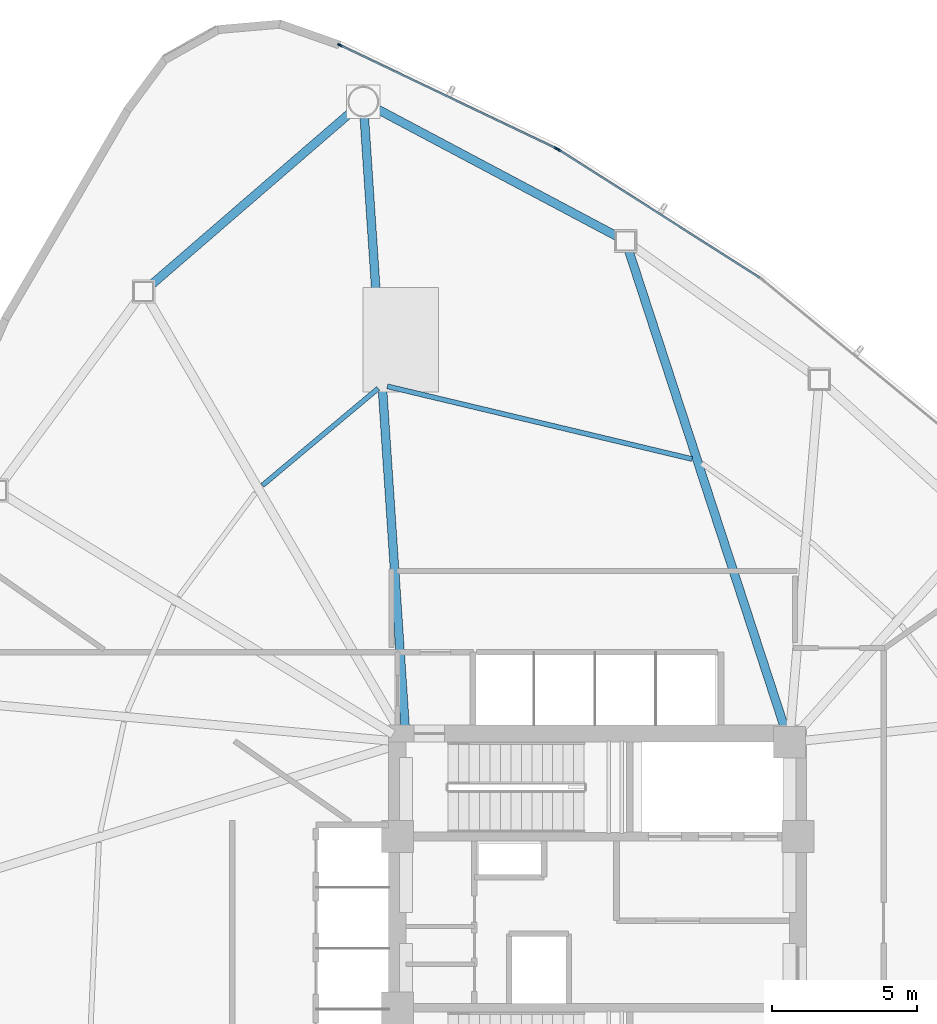
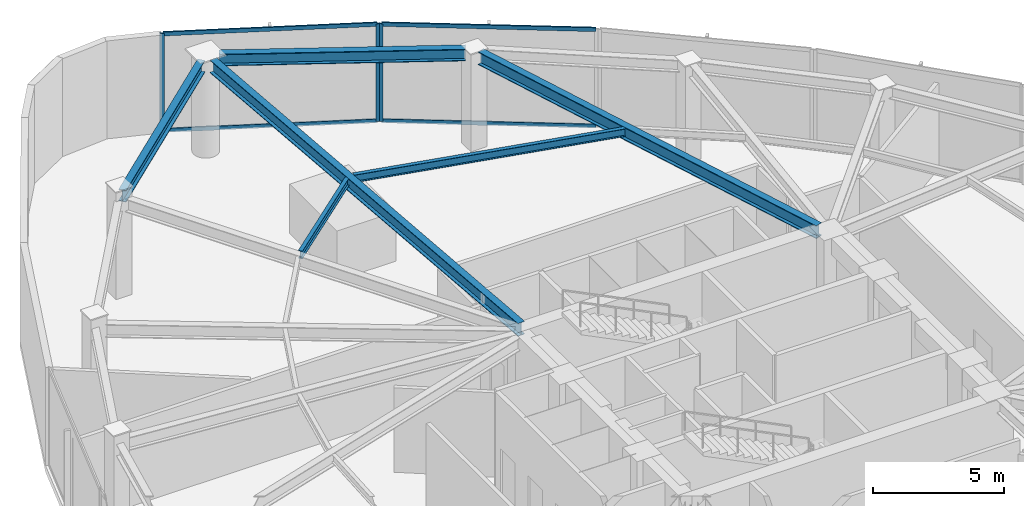
# One storey, part 8 of 16: 7 members, 6 beams, 2 elements without a shape of their own.
"""IFC4 building model written with IfcOpenShell, lengths in metres."""

from ifc_helpers import new_model, si_unit, direction, frame, origin, origin_2d, place, context, subcontext, project, spatial, hollow_rectangle, i_section, extrude, source, transform, mapped, material, layer, layer_set, material_profile, profile_set, type_object, type_shapes, element, aggregate, save


model = new_model("IFC4")

# Units and contexts
model_context = context("Model", 3, precision=1e-05, world=origin(), true_north=direction((0.0, 1.0)))
body_context = subcontext(model_context, "Body", "Model", "MODEL_VIEW")
ifc_project = project(units=[si_unit("LENGTHUNIT", "METRE"), si_unit("AREAUNIT", "SQUARE_METRE"), si_unit("VOLUMEUNIT", "CUBIC_METRE"), si_unit("PLANEANGLEUNIT", "RADIAN"), si_unit("MASSUNIT", "GRAM", prefix="KILO")], contexts=[model_context])

# Site, building, storey
site_placement = place(None, origin())
site = spatial("IfcSite", under=ifc_project, at=site_placement, CompositionType="ELEMENT")
building_placement = place(site_placement, origin())
building = spatial("IfcBuilding", under=site, at=building_placement, Name="Tavelor Broadcast Tower", CompositionType="ELEMENT")
storey_placement = place(building_placement, frame((0.0, 0.0, 97.800048828125)))
storey = spatial("IfcBuildingStorey", under=building, at=storey_placement, Name="L23", CompositionType="ELEMENT", Elevation=97.800048828125)

# Beams
ifc_material_1 = material(Name="Steel S355", Category="steel")
ifc_material_profile_1 = material_profile(ifc_material_1, i_section(OverallWidth=0.169921875, OverallDepth=0.360107421875, WebThickness=0.008056640625, FlangeThickness=0.0126953125, at=origin_2d()), Name="IPE 360")
ifc_profile_set_1 = profile_set([ifc_material_profile_1], Name="Steel S355")
beam_type_1 = type_object("IfcBeamType", Name="Composite Floor Joist T2 IPE 360", PredefinedType="JOIST", material=ifc_profile_set_1)
beam_1_placement = place(storey_placement, frame((42.437744140625, 63.38671875, 4.369873046875), z_axis=(-0.766764124222, -0.641928950746, 0.0), x_axis=(0.641928950746, -0.766764124222, 0.0)))
element("IfcBeam", 1, at=beam_1_placement, inside=storey, type_object=beam_type_1, Name="L23 Secondary Composite Floor Joist 01", PredefinedType="JOIST", context=body_context, shape_type="SweptSolid", body=[
    extrude(i_section(OverallWidth=0.169921875, OverallDepth=0.360107421875, WebThickness=0.008056640625, FlangeThickness=0.0126953125, at=origin_2d()), origin(), (0.0, 0.0, 1.0), 5.1982421875),
])
beam_2_placement = place(storey_placement, frame((53.252685546875, 60.954345703125, 4.369873046875), z_axis=(-0.97267356202, 0.232176962139, 0.0), x_axis=(-0.232176962139, -0.97267356202, 0.0)))
element("IfcBeam", 2, at=beam_2_placement, inside=storey, type_object=beam_type_1, Name="L23 Secondary Composite Floor Joist 18", PredefinedType="JOIST", context=body_context, shape_type="SweptSolid", body=[
    extrude(i_section(OverallWidth=0.169921875, OverallDepth=0.360107421875, WebThickness=0.008056640625, FlangeThickness=0.0126953125, at=origin_2d()), origin(), (0.0, 0.0, 1.0), 10.794921875),
])
ifc_material_profile_2 = material_profile(ifc_material_1, i_section(OverallWidth=0.300048828125, OverallDepth=0.550048828125, WebThickness=0.014892578125, FlangeThickness=0.029052734375, at=origin_2d()), Name="HEB 550")
ifc_profile_set_2 = profile_set([ifc_material_profile_2], Name="Steel S355")
beam_type_2 = type_object("IfcBeamType", Name="Perimeter Spandrel Beam T2 HEB 550", PredefinedType="SPANDREL", material=ifc_profile_set_2)
beam_3_placement = place(storey_placement, frame((41.535400390625, 72.931396484375, 4.27490234375), z_axis=(-0.756652037371, -0.653817783746, 0.0), x_axis=(0.653817783746, -0.756652037371, 0.0)))
element("IfcBeam", 3, at=beam_3_placement, inside=storey, type_object=beam_type_2, Name="L23 Framed-Tube Ring Spandrel 01", PredefinedType="SPANDREL", context=body_context, shape_type="SweptSolid", body=[
    extrude(i_section(OverallWidth=0.300048828125, OverallDepth=0.550048828125, WebThickness=0.014892578125, FlangeThickness=0.029052734375, at=origin_2d()), origin(), (0.0, 0.0, 1.0), 9.15234375),
])
beam_4_placement = place(storey_placement, frame((50.6650390625, 68.626220703125, 4.27490234375), z_axis=(-0.883288784051, 0.468829312192, 0.0), x_axis=(-0.468829312192, -0.883288784051, 0.0)))
element("IfcBeam", 4, at=beam_4_placement, inside=storey, type_object=beam_type_2, Name="L23 Framed-Tube Ring Spandrel 18", PredefinedType="SPANDREL", context=body_context, shape_type="SweptSolid", body=[
    extrude(i_section(OverallWidth=0.300048828125, OverallDepth=0.550048828125, WebThickness=0.014892578125, FlangeThickness=0.029052734375, at=origin_2d()), origin(), (0.0, 0.0, 1.0), 9.384765625),
])
ifc_material_profile_3 = material_profile(ifc_material_1, i_section(OverallWidth=0.300048828125, OverallDepth=0.60009765625, WebThickness=0.015380859375, FlangeThickness=0.030029296875, at=origin_2d()), Name="HEB 600")
ifc_profile_set_3 = profile_set([ifc_material_profile_3], Name="Steel S355")
beam_type_3 = type_object("IfcBeamType", Name="Radial Floor Girder T2 HEB 600", PredefinedType="BEAM", material=ifc_profile_set_3)
beam_5_placement = place(storey_placement, frame((43.36474609375, 51.726806640625, 4.25), z_axis=(-0.066782727419, 0.997767541724, 0.0), x_axis=(-0.997767541724, -0.066782727419, 0.0)))
element("IfcBeam", 5, at=beam_5_placement, inside=storey, type_object=beam_type_3, Name="L23 Radial Primary Floor Girder 01", PredefinedType="BEAM", context=body_context, shape_type="SweptSolid", body=[
    extrude(i_section(OverallWidth=0.300048828125, OverallDepth=0.60009765625, WebThickness=0.015380859375, FlangeThickness=0.030029296875, at=origin_2d()), origin(), (0.0, 0.0, 1.0), 21.075439453125),
])
beam_6_placement = place(storey_placement, frame((56.43603515625, 51.701904296875, 4.25), z_axis=(-0.310367170997, 0.950616757251, 0.0), x_axis=(-0.950616757251, -0.310367170997, 0.0)))
element("IfcBeam", 6, at=beam_6_placement, inside=storey, type_object=beam_type_3, Name="L23 Radial Primary Floor Girder 18", PredefinedType="BEAM", context=body_context, shape_type="SweptSolid", body=[
    extrude(i_section(OverallWidth=0.300048828125, OverallDepth=0.60009765625, WebThickness=0.015380859375, FlangeThickness=0.030029296875, at=origin_2d()), origin(), (0.0, 0.0, 1.0), 17.3017578125),
])

# Curtain wall, member
ifc_material_2 = material(Name="Architectural Anodized Aluminium", Category="aluminium")
ifc_layer = layer(ifc_material_2, 0.179931640625)
ifc_layer_set = layer_set([ifc_layer], Name="Architectural Anodized Aluminium")
curtain_wall_type = type_object("IfcCurtainWallType", Name="Tower Low-Zone Unitised Curtain Wall CW02", PredefinedType="NOTDEFINED", material=ifc_layer_set)
curtain_wall_1_placement = place(storey_placement, origin())
curtain_wall_1 = element("IfcCurtainWall", 7, at=curtain_wall_1_placement, inside=storey, type_object=curtain_wall_type, Name="L23 Curtain Wall CW02 Run 239", PredefinedType="NOTDEFINED")
ifc_material_profile_4 = material_profile(ifc_material_2, hollow_rectangle(XDim=0.06494140625, YDim=0.179931640625, WallThickness=0.02197265625, at=origin_2d()), Name="RHS 65x180x22")
ifc_profile_set_4 = profile_set([ifc_material_profile_4], Name="Architectural Anodized Aluminium")
member_type_1 = type_object("IfcMemberType", Name="CW02 Extruded Aluminium Mullion 65x180", PredefinedType="MULLION", material=ifc_profile_set_4)
shared_shape_1 = source(origin(), body_context, "Body", "SweptSolid", [
    extrude(hollow_rectangle(XDim=0.06494140625, YDim=0.179931640625, WallThickness=0.02197265625, at=origin_2d()), origin(), (0.0, 0.0, 1.0), 4.550048828125),
])
type_shapes(member_type_1, [shared_shape_1])
member_1_placement = place(storey_placement, frame((48.6552734375, 71.60791015625, 0.0), z_axis=(0.0, 0.0, 1.0), x_axis=(-0.536928503263, -0.843627751075, 0.0)))
member_1 = element("IfcMember", 8, at=member_1_placement, type_object=member_type_1, Name="CW02 mullion 2", PredefinedType="MULLION", context=body_context, shape_type="MappedRepresentation", body=[
    mapped(shared_shape_1, transform((0.0, 0.0, 0.0), scale=1.0)),
])

# Curtain wall, members
curtain_wall_2_placement = place(storey_placement, origin())
curtain_wall_2 = element("IfcCurtainWall", 9, at=curtain_wall_2_placement, inside=storey, type_object=curtain_wall_type, Name="L23 Curtain Wall CW02 Run 240", PredefinedType="NOTDEFINED")
member_2_placement = place(storey_placement, frame((48.572265625, 71.65380859375, 0.0), z_axis=(0.0, 0.0, 1.0), x_axis=(-0.430881833384, -0.902408358594, 0.0)))
member_2 = element("IfcMember", 10, at=member_2_placement, type_object=member_type_1, Name="CW02 mullion 1", PredefinedType="MULLION", context=body_context, shape_type="MappedRepresentation", body=[
    mapped(shared_shape_1, transform((0.0, 0.0, 0.0), scale=1.0)),
])
member_3_placement = place(storey_placement, frame((41.126708984375, 75.208984375, 0.0), z_axis=(0.0, 0.0, 1.0), x_axis=(-0.430881833384, -0.902408358594, 0.0)))
member_3 = element("IfcMember", 11, at=member_3_placement, type_object=member_type_1, Name="CW02 mullion 2", PredefinedType="MULLION", context=body_context, shape_type="MappedRepresentation", body=[
    mapped(shared_shape_1, transform((0.0, 0.0, 0.0), scale=1.0)),
])

# Member
ifc_material_profile_5 = material_profile(ifc_material_2, hollow_rectangle(XDim=0.06494140625, YDim=0.179931640625, WallThickness=0.02197265625, at=origin_2d()), Name="RHS 65x180x22")
ifc_profile_set_5 = profile_set([ifc_material_profile_5], Name="Architectural Anodized Aluminium")
member_type_2 = type_object("IfcMemberType", Name="CW02 Extruded Aluminium Transom 65x180", PredefinedType="USERDEFINED", material=ifc_profile_set_5)
shared_shape_2 = source(origin(), body_context, "Body", "SweptSolid", [
    extrude(hollow_rectangle(XDim=0.06494140625, YDim=0.179931640625, WallThickness=0.02197265625, at=origin_2d()), origin(), (0.0, 0.0, 1.0), 8.170166015625),
])
member_4_placement = place(storey_placement, frame((55.5751953125, 67.203857421875, 0.032470703125), z_axis=(-0.843631955892, 0.536921896553, 0.0), x_axis=(-0.536921896553, -0.843631955892, 0.0)))
member_4 = element("IfcMember", 12, at=member_4_placement, type_object=member_type_2, Name="CW02 transom 1.1", ObjectType="TRANSOM", PredefinedType="USERDEFINED", context=body_context, shape_type="MappedRepresentation", body=[
    mapped(shared_shape_2, transform((0.0, 0.0, 0.0), scale=1.0)),
])

member_5_placement = place(storey_placement, frame((55.5751953125, 67.203857421875, 4.517333984375), z_axis=(-0.843631955892, 0.536921896553, 0.0), x_axis=(-0.536921896553, -0.843631955892, 0.0)))
member_5 = element("IfcMember", 13, at=member_5_placement, type_object=member_type_2, Name="CW02 transom 1.2", ObjectType="TRANSOM", PredefinedType="USERDEFINED", context=body_context, shape_type="MappedRepresentation", body=[
    mapped(shared_shape_2, transform((0.0, 0.0, 0.0), scale=1.0)),
])

aggregate(curtain_wall_1, [member_1, member_4, member_5])

shared_shape_3 = source(origin(), body_context, "Body", "SweptSolid", [
    extrude(hollow_rectangle(XDim=0.06494140625, YDim=0.179931640625, WallThickness=0.02197265625, at=origin_2d()), origin(), (0.0, 0.0, 1.0), 8.185791015625),
])
type_shapes(member_type_2, [shared_shape_2, shared_shape_3])
member_6_placement = place(storey_placement, frame((48.54296875, 71.66796875, 0.032470703125), z_axis=(-0.902409618963, 0.430879193746, 0.0), x_axis=(-0.430879193746, -0.902409618963, 0.0)))
member_6 = element("IfcMember", 14, at=member_6_placement, type_object=member_type_2, Name="CW02 transom 1.1", ObjectType="TRANSOM", PredefinedType="USERDEFINED", context=body_context, shape_type="MappedRepresentation", body=[
    mapped(shared_shape_3, transform((0.0, 0.0, 0.0), scale=1.0)),
])

member_7_placement = place(storey_placement, frame((48.54296875, 71.66796875, 4.517333984375), z_axis=(-0.902409618963, 0.430879193746, 0.0), x_axis=(-0.430879193746, -0.902409618963, 0.0)))
member_7 = element("IfcMember", 15, at=member_7_placement, type_object=member_type_2, Name="CW02 transom 1.2", ObjectType="TRANSOM", PredefinedType="USERDEFINED", context=body_context, shape_type="MappedRepresentation", body=[
    mapped(shared_shape_3, transform((0.0, 0.0, 0.0), scale=1.0)),
])

aggregate(curtain_wall_2, [member_2, member_3, member_6, member_7])

save(model, "model.ifc")
